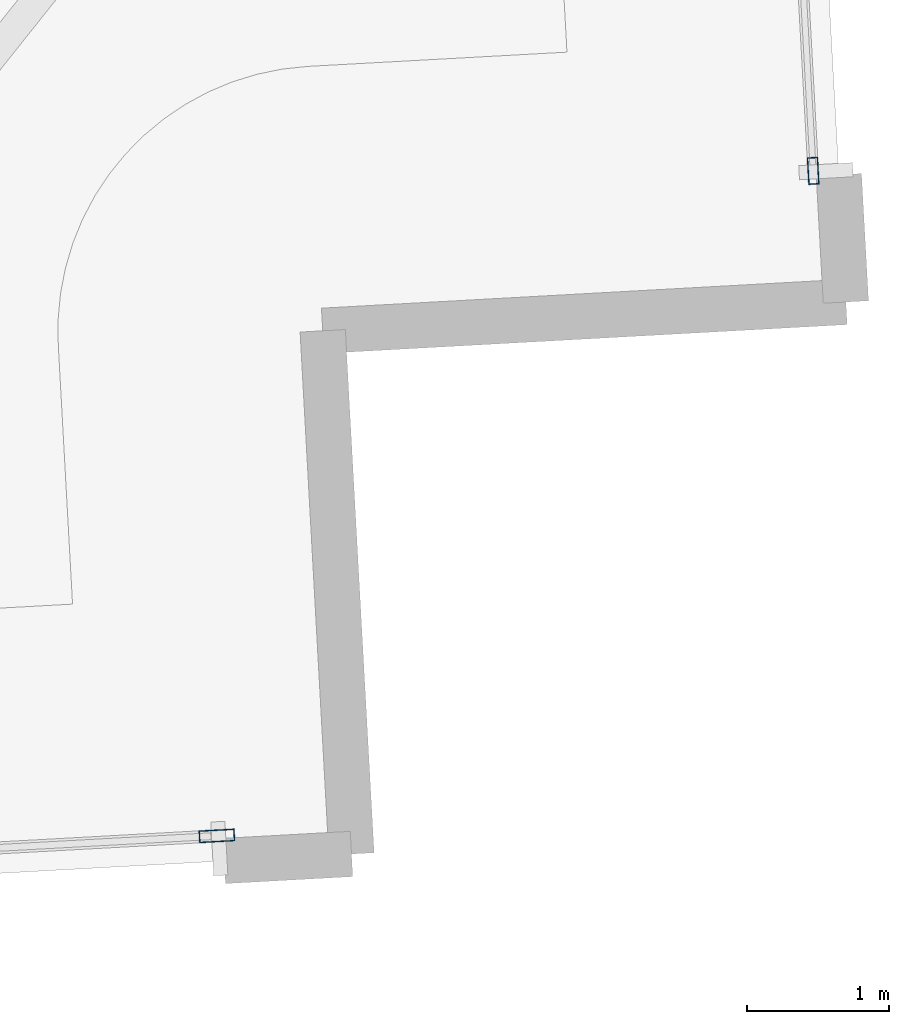
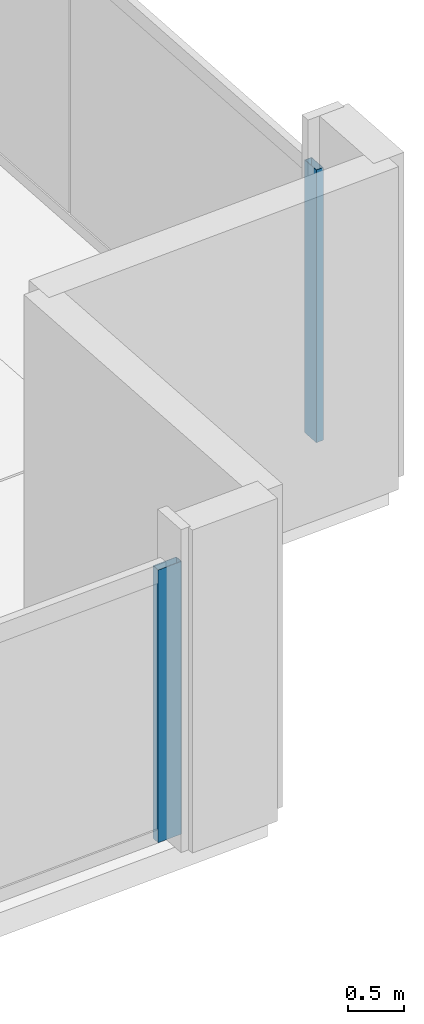
# One storey, part 8 of 23: 2 members, 2 elements without a shape of their own.
"""IFC4 building model written with IfcOpenShell, lengths in metres."""

import ifcopenshell
import ifcopenshell.guid

model = None  # the IFC model being written
_history = None  # IfcOwnerHistory: only IFC2X3 demands one
_inside = {}  # id of a spatial element -> (the spatial element, [elements in it])
_under = {}  # id of a project, library or spatial element -> (it, [spatial elements below it])
_declared = {}  # id of a project -> (the project, [libraries it declares])
_typed = {}  # id of a type object -> (the type object, [elements of that type])
_made_of = {}  # id of a material, layer set ... -> (it, [elements and type objects made of it])


def new_model(schema):
    """Start an empty IFC model of exactly this schema.

    Asked for "IFC4X3", IfcOpenShell would pick the latest addendum, in which some entities
    have other attributes; the version numbers below select the first issue.
    IFC2X3 requires an IfcOwnerHistory on every rooted entity: one is made here for all.
    """
    global model, _history
    if schema == "IFC4X3":
        model = ifcopenshell.file(schema_version=(4, 3, 0, 0))
    else:
        model = ifcopenshell.file(schema=schema)
    _inside.clear()
    _under.clear()
    _declared.clear()
    _typed.clear()
    _made_of.clear()
    _history = None
    if model.schema == "IFC2X3":
        org = make("IfcOrganization", Name="unknown")
        user = make(
            "IfcPersonAndOrganization",
            ThePerson=make("IfcPerson", FamilyName="unknown"),
            TheOrganization=org,
        )
        app = make(
            "IfcApplication",
            ApplicationDeveloper=org,
            Version="unknown",
            ApplicationFullName="unknown",
            ApplicationIdentifier="unknown",
        )
        _history = make(
            "IfcOwnerHistory",
            OwningUser=user,
            OwningApplication=app,
            ChangeAction="ADDED",
            CreationDate=0,
        )
    return model


def make(cls, **values):
    """One entity of the class cls with the attributes given. An attribute that is None is left unset."""
    return model.create_entity(
        cls, **{name: value for name, value in values.items() if value is not None}
    )


def rooted(cls, **values):
    """An entity with a GlobalId (a new one), such as an element, a storey or a relation."""
    return make(cls, GlobalId=ifcopenshell.guid.new(), OwnerHistory=_history, **values)


def si_unit(unit_type, name, prefix=None):
    """IfcSIUnit, for example si_unit("LENGTHUNIT", "METRE", prefix="MILLI")."""
    return make("IfcSIUnit", UnitType=unit_type, Prefix=prefix, Name=name)


def assignment(units):
    """IfcUnitAssignment: the units of a project."""
    return None if units is None else make("IfcUnitAssignment", Units=units)


def point(xyz):
    """IfcCartesianPoint."""
    return None if xyz is None else make("IfcCartesianPoint", Coordinates=xyz)


def direction(xyz):
    """IfcDirection."""
    return None if xyz is None else make("IfcDirection", DirectionRatios=xyz)


def frame(location, z_axis=None, x_axis=None):
    """IfcAxis2Placement3D, a coordinate frame: its origin and axes. An axis left out is left unset."""
    return make(
        "IfcAxis2Placement3D",
        Location=point(location),
        Axis=direction(z_axis),
        RefDirection=direction(x_axis),
    )


def frame_2d(location, x_axis=None):
    """IfcAxis2Placement2D, a coordinate frame in the plane: its origin and x axis."""
    return make(
        "IfcAxis2Placement2D", Location=point(location), RefDirection=direction(x_axis)
    )


def origin():
    """The frame at (0, 0, 0) with its axes left unset."""
    return frame((0.0, 0.0, 0.0))


def origin_2d():
    """The frame at (0, 0) in the plane with its x axis left unset."""
    return frame_2d((0.0, 0.0))


def place(relative_to, where):
    """IfcLocalPlacement: puts the frame where relative to a parent placement (None: the world)."""
    return make(
        "IfcLocalPlacement", PlacementRelTo=relative_to, RelativePlacement=where
    )


def context(
    kind, dimensions, precision=None, world=None, true_north=None, identifier=None
):
    """IfcGeometricRepresentationContext, for example the 3D "Model" context."""
    return make(
        "IfcGeometricRepresentationContext",
        ContextIdentifier=identifier,
        ContextType=kind,
        CoordinateSpaceDimension=dimensions,
        Precision=precision,
        WorldCoordinateSystem=world,
        TrueNorth=true_north,
    )


def subcontext(parent, identifier, kind, view, scale=None):
    """IfcGeometricRepresentationSubContext, for example "Body" below "Model"."""
    return make(
        "IfcGeometricRepresentationSubContext",
        ContextIdentifier=identifier,
        ContextType=kind,
        ParentContext=parent,
        TargetScale=scale,
        TargetView=view,
    )


def project(units=None, contexts=None):
    """IfcProject with its units and contexts."""
    return rooted(
        "IfcProject",
        Name="project",
        RepresentationContexts=contexts,
        UnitsInContext=assignment(units),
    )


def spatial(cls, under=None, at=None, **own):
    """A site, building, storey or space (cls), placed at a placement, below another one or the project."""
    s = rooted(cls, ObjectPlacement=at, **own)
    if under is not None:
        _under.setdefault(under.id(), (under, []))[1].append(s)
    return s


def profile(cls, at=None, kind="AREA", **sizes):
    """A parametric profile (cls). Its sizes go by their IFC names, for example OverallWidth=200.0."""
    return make(cls, ProfileType=kind, Position=at, **sizes)


def hollow_rectangle(**sizes):
    """IfcRectangleHollowProfileDef."""
    return profile("IfcRectangleHollowProfileDef", **sizes)


def extrude(swept, where, along, depth):
    """IfcExtrudedAreaSolid: the profile swept, set in the frame where, extruded along a direction by depth."""
    return make(
        "IfcExtrudedAreaSolid",
        SweptArea=swept,
        Position=where,
        ExtrudedDirection=direction(along),
        Depth=depth,
    )


def shape(context_of_items, identifier, shape_type, items):
    """IfcShapeRepresentation: the items that make up one representation, for example the "Body"."""
    return make(
        "IfcShapeRepresentation",
        ContextOfItems=context_of_items,
        RepresentationIdentifier=identifier,
        RepresentationType=shape_type,
        Items=items,
    )


def material(Name=None, Category=None):
    """IfcMaterial."""
    return make("IfcMaterial", Name=Name, Category=Category)


def material_profile(
    of_material, cross_section, Name=None, Category=None, Priority=None
):
    """IfcMaterialProfile: a cross section and its material."""
    return make(
        "IfcMaterialProfile",
        Name=Name,
        Material=of_material,
        Profile=cross_section,
        Priority=Priority,
        Category=Category,
    )


def profile_set(profiles, Name=None, composite=None):
    """IfcMaterialProfileSet."""
    return make(
        "IfcMaterialProfileSet",
        Name=Name,
        MaterialProfiles=profiles,
        CompositeProfile=composite,
    )


def made_of(thing, what):
    """Note that an element or type object is made of a material, layer set ...; save() writes the relation."""
    if what is not None:
        _made_of.setdefault(what.id(), (what, []))[1].append(thing)
    return thing


def type_object(cls, material=None, **own):
    """A type object (cls), such as IfcWallType, which elements share."""
    return made_of(rooted(cls, **own), material)


def element(
    cls,
    number,
    at=None,
    inside=None,
    cuts=None,
    type_object=None,
    material=None,
    context=None,
    identifier="Body",
    shape_type=None,
    held_by="IfcProductDefinitionShape",
    body=None,
    shapes=None,
    **own,
):
    """One element of the class cls, such as IfcWall. Its Tag is "e" and its number.

    at: its placement. inside: the storey or other place that contains it. cuts: it is an
    opening in that element (IfcRelVoidsElement). A single representation is given by context,
    identifier, shape_type and body (its items); several are given by shapes. held_by: the class
    of the entity that holds the representations. save() writes the other relations.
    """
    e = rooted(cls, Tag="e%d" % number, ObjectPlacement=at, **own)
    if body is not None:
        shapes = [shape(context, identifier, shape_type, body)]
    if shapes is not None:
        e.Representation = make(held_by, Representations=shapes)
    if inside is not None:
        _inside.setdefault(inside.id(), (inside, []))[1].append(e)
    if cuts is not None:
        rooted(
            "IfcRelVoidsElement", RelatingBuildingElement=cuts, RelatedOpeningElement=e
        )
    if type_object is not None:
        _typed.setdefault(type_object.id(), (type_object, []))[1].append(e)
    return made_of(e, material)


def aggregate(whole, parts):
    """IfcRelAggregates: a whole, such as a stair, and the parts it consists of."""
    return rooted("IfcRelAggregates", RelatingObject=whole, RelatedObjects=parts)


def save(model, path):
    """Write the relations noted so far, then the file.

    IfcRelAggregates (storeys below a building ...), IfcRelContainedInSpatialStructure (elements
    in a storey), IfcRelDefinesByType, IfcRelAssociatesMaterial and IfcRelDeclares: one each for
    every whole, place, type object, material and project.
    """
    for whole, parts in _under.values():
        aggregate(whole, parts)
    for where, things in _inside.values():
        rooted(
            "IfcRelContainedInSpatialStructure",
            RelatedElements=things,
            RelatingStructure=where,
        )
    for kind, things in _typed.values():
        rooted("IfcRelDefinesByType", RelatedObjects=things, RelatingType=kind)
    for what, things in _made_of.values():
        rooted("IfcRelAssociatesMaterial", RelatedObjects=things, RelatingMaterial=what)
    for by, libraries in _declared.values():
        rooted("IfcRelDeclares", RelatingContext=by, RelatedDefinitions=libraries)
    model.write(path)


model = new_model("IFC4")

# Units and contexts
model_context = context("Model", 3, precision=1e-05, world=origin(), true_north=direction((0.0, 1.0)))
body_context = subcontext(model_context, "Body", "Model", "MODEL_VIEW")
ifc_project = project(units=[si_unit("LENGTHUNIT", "METRE"), si_unit("AREAUNIT", "SQUARE_METRE"), si_unit("VOLUMEUNIT", "CUBIC_METRE"), si_unit("PLANEANGLEUNIT", "RADIAN"), si_unit("MASSUNIT", "GRAM", prefix="KILO")], contexts=[model_context])

# Site, building, storey
site_placement = place(None, origin())
site = spatial("IfcSite", under=ifc_project, at=site_placement, CompositionType="ELEMENT")
building_placement = place(site_placement, origin())
building = spatial("IfcBuilding", under=site, at=building_placement, Name="Haldenkirk Collegiate Tower", CompositionType="ELEMENT")
storey_placement = place(building_placement, frame((0.0, 0.0, 340.199951171875)))
storey = spatial("IfcBuildingStorey", under=building, at=storey_placement, Name="L86", CompositionType="ELEMENT", Elevation=340.199951171875)

# Curtain wall, member
ifc_material = material(Name="Anodised architectural bronze aluminium", Category="aluminium")
curtain_wall_type_1 = type_object("IfcCurtainWallType", Name="CW-SYS2-CONCAVE", PredefinedType="USERDEFINED", material=ifc_material)
curtain_wall_1_placement = place(storey_placement, origin())
curtain_wall_1 = element("IfcCurtainWall", 1, at=curtain_wall_1_placement, inside=storey, type_object=curtain_wall_type_1, Name="L86 South concave recessed bronze-anodised curtain wall", ObjectType="UNITISED CURTAIN WALL", PredefinedType="USERDEFINED")
ifc_material_profile_1 = material_profile(ifc_material, hollow_rectangle(XDim=0.074951171875, YDim=0.18994140625, WallThickness=0.0048828125, at=origin_2d()), Name="CW-MUL-02")
ifc_profile_set_1 = profile_set([ifc_material_profile_1], Name="Anodised architectural bronze aluminium")
member_type_1 = type_object("IfcMemberType", Name="CW-MUL-02", PredefinedType="MULLION", material=ifc_profile_set_1)
member_1_placement = place(storey_placement, frame((58.879638671875, 9.619873046875, 0.0), z_axis=(0.0, 0.0, 1.0), x_axis=(0.998489164704, 0.054948957849, 0.0)))
member_1 = element("IfcMember", 2, at=member_1_placement, type_object=member_type_1, Name="CW-02 mullion 4", PredefinedType="MULLION", context=body_context, shape_type="SweptSolid", body=[
    extrude(hollow_rectangle(XDim=0.074951171875, YDim=0.18994140625, WallThickness=0.0048828125, at=origin_2d()), origin(), (0.0, 0.0, 1.0), 2.947998046875),
])
aggregate(curtain_wall_1, [member_1])

curtain_wall_type_2 = type_object("IfcCurtainWallType", Name="CW-SYS1B-CONVEX-HI", PredefinedType="USERDEFINED", material=ifc_material)
curtain_wall_2_placement = place(storey_placement, origin())
curtain_wall_2 = element("IfcCurtainWall", 3, at=curtain_wall_2_placement, inside=storey, type_object=curtain_wall_type_2, Name="L86 Upper tower high-wind convex bronze unitised curtain wall", ObjectType="UNITISED CURTAIN WALL", PredefinedType="USERDEFINED")
ifc_material_profile_2 = material_profile(ifc_material, hollow_rectangle(XDim=0.0849609375, YDim=0.25, WallThickness=0.0048828125, at=origin_2d()), Name="CW-MUL-1B")
ifc_profile_set_2 = profile_set([ifc_material_profile_2], Name="Anodised architectural bronze aluminium")
member_type_2 = type_object("IfcMemberType", Name="CW-MUL-1B", PredefinedType="MULLION", material=ifc_profile_set_2)
member_2_placement = place(storey_placement, frame((54.6689453125, 4.924072265625, 0.0), z_axis=(0.0, 0.0, 1.0), x_axis=(0.054947531961, -0.998489243173, 0.0)))
member_2 = element("IfcMember", 4, at=member_2_placement, type_object=member_type_2, Name="CW-1B mullion 1", PredefinedType="MULLION", context=body_context, shape_type="SweptSolid", body=[
    extrude(hollow_rectangle(XDim=0.0849609375, YDim=0.25, WallThickness=0.0048828125, at=origin_2d()), origin(), (0.0, 0.0, 1.0), 2.947998046875),
])
aggregate(curtain_wall_2, [member_2])

save(model, "model.ifc")
